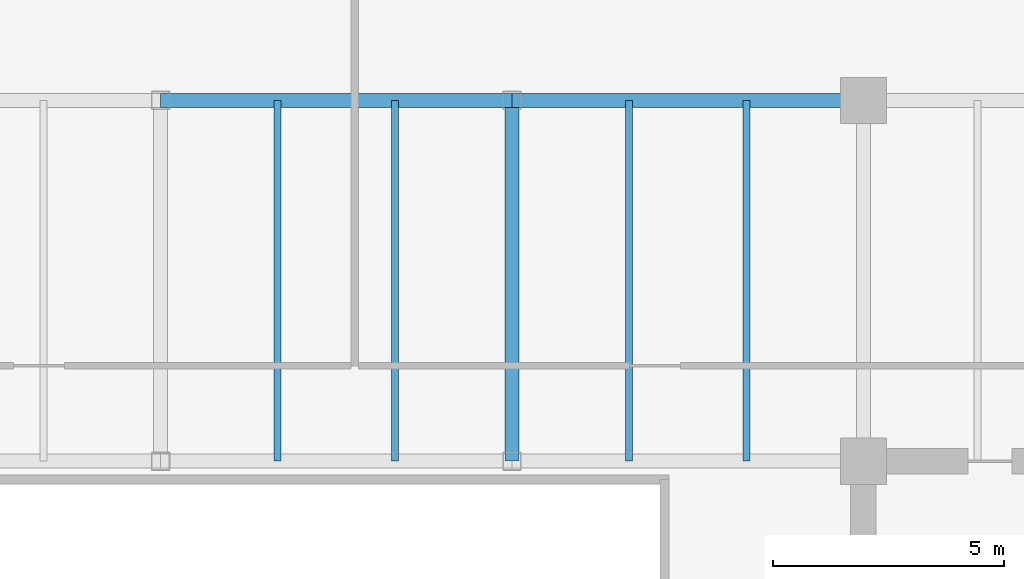
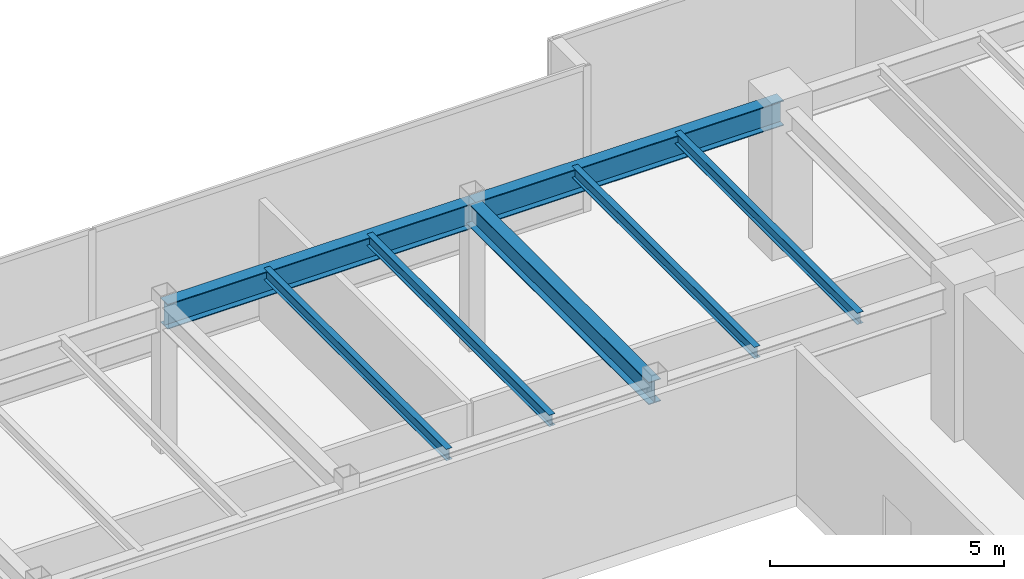
# One storey, part 18 of 33: 7 beams.
"""IFC4 building model written with IfcOpenShell, lengths in metres."""

from ifc_helpers import new_model, si_unit, direction, frame, origin, origin_2d, place, context, subcontext, project, spatial, i_section, extrude, source, transform, mapped, material, material_profile, profile_set, type_object, type_shapes, element, save


model = new_model("IFC4")

# Units and contexts
model_context = context("Model", 3, precision=1e-05, world=origin(), true_north=direction((0.0, 1.0)))
body_context = subcontext(model_context, "Body", "Model", "MODEL_VIEW")
ifc_project = project(units=[si_unit("LENGTHUNIT", "METRE"), si_unit("AREAUNIT", "SQUARE_METRE"), si_unit("VOLUMEUNIT", "CUBIC_METRE"), si_unit("PLANEANGLEUNIT", "RADIAN"), si_unit("MASSUNIT", "GRAM", prefix="KILO")], contexts=[model_context])

# Site, building, storey
site_placement = place(None, origin())
site = spatial("IfcSite", under=ifc_project, at=site_placement, CompositionType="ELEMENT")
building_placement = place(site_placement, origin())
building = spatial("IfcBuilding", under=site, at=building_placement, Name="Haelvirn Gate Laboratories", CompositionType="ELEMENT")
storey_placement = place(building_placement, frame((0.0, 0.0, 213.699951171875)))
storey = spatial("IfcBuildingStorey", under=building, at=storey_placement, Name="L51", CompositionType="ELEMENT", Elevation=213.699951171875)

# Beams
ifc_material = material(Name="Steel SM355", Category="steel")
ifc_material_profile_1 = material_profile(ifc_material, i_section(OverallWidth=0.14990234375, OverallDepth=0.300048828125, WebThickness=0.006591796875, FlangeThickness=0.009033203125, at=origin_2d()), Name="H-300x150x6.5x9")
ifc_profile_set_1 = profile_set([ifc_material_profile_1], Name="Steel SM355")
beam_type_1 = type_object("IfcBeamType", Name="BM-J-300", PredefinedType="JOIST", material=ifc_profile_set_1)
shared_shape_1 = source(origin(), body_context, "Body", "SweptSolid", [
    extrude(i_section(OverallWidth=0.14990234375, OverallDepth=0.300048828125, WebThickness=0.006591796875, FlangeThickness=0.009033203125, at=origin_2d()), origin(), (0.0, 0.0, 1.0), 7.800048828125),
])
type_shapes(beam_type_1, [shared_shape_1])
for number, where, z_axis, x_axis, name in (
    (1, (39.929931640625, 33.800048828125, 3.650146484375), (0.0, 1.0, 0.0), (-1.0, 0.0, 0.0), "L51 Composite Lab Joist North X39.93"),
    (2, (42.469970703125, 33.800048828125, 3.650146484375), (0.0, 1.0, 0.0), (-1.0, 0.0, 0.0), "L51 Composite Lab Joist North X42.47"),
    (3, (47.530029296875, 33.800048828125, 3.650146484375), (0.0, 1.0, 0.0), (-1.0, 0.0, 0.0), "L51 Composite Lab Joist North X47.53"),
    (4, (50.070068359375, 33.800048828125, 3.650146484375), (0.0, 1.0, 0.0), (-1.0, 0.0, 0.0), "L51 Composite Lab Joist North X50.07"),
):
    element("IfcBeam", number, at=place(storey_placement, frame(where, z_axis=z_axis, x_axis=x_axis)), inside=storey, type_object=beam_type_1, Name=name, PredefinedType="JOIST", context=body_context, shape_type="MappedRepresentation", body=[
        mapped(shared_shape_1, transform((0.0, 0.0, 0.0), scale=1.0)),
    ])
ifc_material_profile_2 = material_profile(ifc_material, i_section(OverallWidth=0.300048828125, OverallDepth=0.587890625, WebThickness=0.011962890625, FlangeThickness=0.02001953125, at=origin_2d()), Name="H-588x300x12x20")
ifc_profile_set_2 = profile_set([ifc_material_profile_2], Name="Steel SM355")
beam_type_2 = type_object("IfcBeamType", Name="BM-G-588", PredefinedType="BEAM", material=ifc_profile_set_2)
shared_shape_2 = source(origin(), body_context, "Body", "SweptSolid", [
    extrude(i_section(OverallWidth=0.300048828125, OverallDepth=0.587890625, WebThickness=0.011962890625, FlangeThickness=0.02001953125, at=origin_2d()), origin(), (0.0, 0.0, 1.0), 7.800048828125),
])
type_shapes(beam_type_2, [shared_shape_2])
beam_placement = place(storey_placement, frame((45.0, 33.800048828125, 3.506103515625), z_axis=(0.0, 1.0, 0.0), x_axis=(-1.0, 0.0, 0.0)))
element("IfcBeam", 5, at=beam_placement, inside=storey, type_object=beam_type_2, Name="L51 Frame Girder X45.0 (33.8-41.6)", PredefinedType="BEAM", context=body_context, shape_type="MappedRepresentation", body=[
    mapped(shared_shape_2, transform((0.0, 0.0, 0.0), scale=1.0)),
])
ifc_material_profile_3 = material_profile(ifc_material, i_section(OverallWidth=0.300048828125, OverallDepth=0.64990234375, WebThickness=0.012939453125, FlangeThickness=0.02197265625, at=origin_2d()), Name="H-650x300x13x22")
ifc_profile_set_3 = profile_set([ifc_material_profile_3], Name="Steel SM355")
beam_type_3 = type_object("IfcBeamType", Name="BM-G-650", PredefinedType="BEAM", material=ifc_profile_set_3)
shared_shape_3 = source(origin(), body_context, "Body", "SweptSolid", [
    extrude(i_section(OverallWidth=0.300048828125, OverallDepth=0.64990234375, WebThickness=0.012939453125, FlangeThickness=0.02197265625, at=origin_2d()), origin(), (0.0, 0.0, 1.0), 7.60009765625),
])
type_shapes(beam_type_3, [shared_shape_3])
for number, where, z_axis, x_axis, name in (
    (6, (37.39990234375, 41.60009765625, 3.47509765625), (1.0, 0.0, 0.0), (0.0, 1.0, 0.0), "L51 Primary Girder Y41.6 (37.4-45.0)"),
    (7, (45.0, 41.60009765625, 3.47509765625), (1.0, 0.0, 0.0), (0.0, 1.0, 0.0), "L51 Primary Girder Y41.6 (45.0-52.6)"),
):
    element("IfcBeam", number, at=place(storey_placement, frame(where, z_axis=z_axis, x_axis=x_axis)), inside=storey, type_object=beam_type_3, Name=name, PredefinedType="BEAM", context=body_context, shape_type="MappedRepresentation", body=[
        mapped(shared_shape_3, transform((0.0, 0.0, 0.0), scale=1.0)),
    ])

save(model, "model.ifc")
